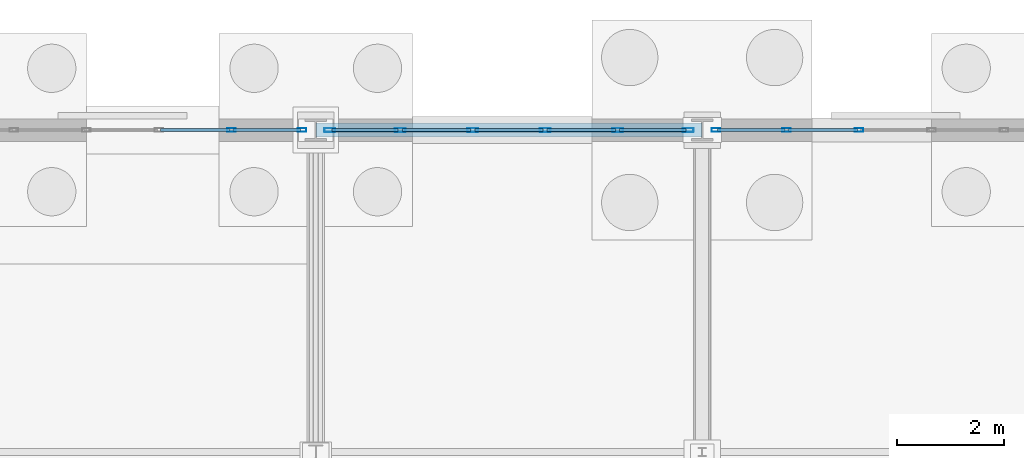
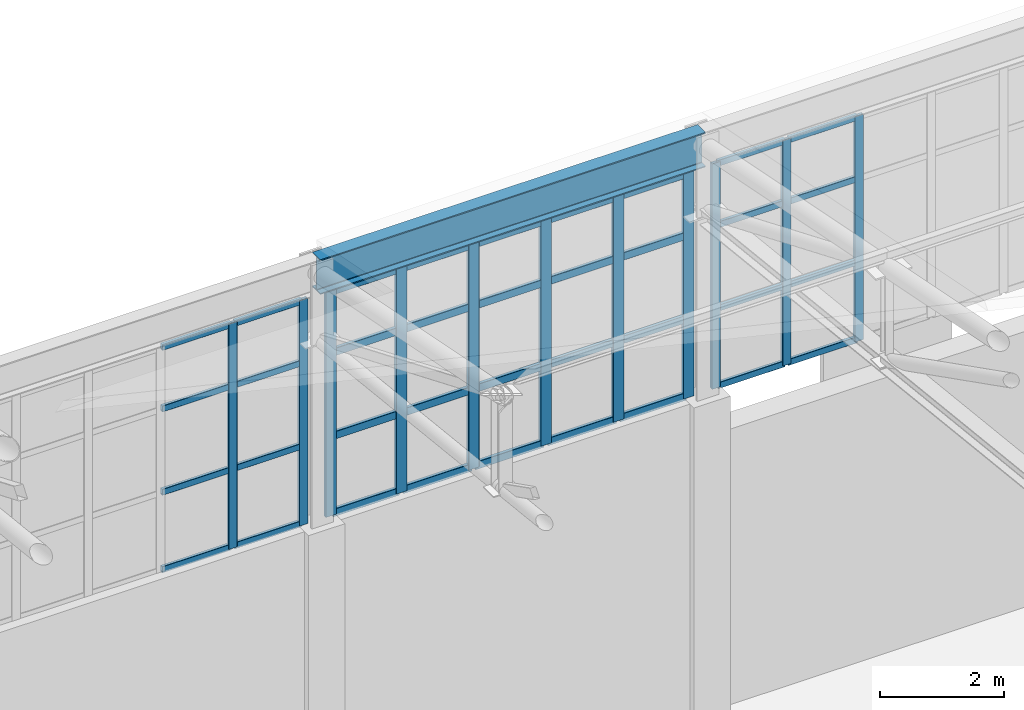
# One storey, part 220 of 293: 47 members, 1 beam, 3 elements without a shape of their own.
"""IFC4 building model written with IfcOpenShell, lengths in metres."""

from ifc_helpers import new_model, si_unit, direction, frame, origin, origin_2d, place, context, subcontext, project, spatial, hollow_rectangle, i_section, extrude, material, layer, layer_set, material_profile, profile_set, type_object, element, aggregate, save


model = new_model("IFC4")

# Units and contexts
model_context = context("Model", 3, precision=1e-05, world=origin(), true_north=direction((0.0, 1.0)))
body_context = subcontext(model_context, "Body", "Model", "MODEL_VIEW")
ifc_project = project(units=[si_unit("LENGTHUNIT", "METRE"), si_unit("AREAUNIT", "SQUARE_METRE"), si_unit("VOLUMEUNIT", "CUBIC_METRE"), si_unit("PLANEANGLEUNIT", "RADIAN"), si_unit("MASSUNIT", "GRAM", prefix="KILO")], contexts=[model_context])

# Site, building, storey
site_placement = place(None, origin())
site = spatial("IfcSite", under=ifc_project, at=site_placement, CompositionType="ELEMENT")
building_placement = place(site_placement, origin())
building = spatial("IfcBuilding", under=site, at=building_placement, Name="Kemerveld Promenade Tramway Depot", CompositionType="ELEMENT")
storey_placement = place(building_placement, origin())
storey = spatial("IfcBuildingStorey", under=building, at=storey_placement, Name="L00", CompositionType="ELEMENT", Elevation=0.0)

# Beam
ifc_material_1 = material(Name="Steel S355", Category="steel")
ifc_material_profile_1 = material_profile(ifc_material_1, i_section(OverallWidth=0.25439453125, OverallDepth=0.6875, WebThickness=0.01318359375, FlangeThickness=0.02099609375, FilletRadius=0.01513671875, at=origin_2d()), Name="686x254x152 UB")
ifc_profile_set_1 = profile_set([ifc_material_profile_1], Name="Steel S355")
beam_type = type_object("IfcBeamType", Name="BM-G03", PredefinedType="BEAM", material=ifc_profile_set_1)
beam_placement = place(storey_placement, frame((129.60009765625, 144.0, 11.056396484375), z_axis=(1.0, 0.0, 0.0), x_axis=(0.0, 1.0, 0.0)))
element("IfcBeam", 1, at=beam_placement, inside=storey, type_object=beam_type, Name="BM-SHED-EAVE-U-19", PredefinedType="BEAM", context=body_context, shape_type="SweptSolid", body=[
    extrude(i_section(OverallWidth=0.25439453125, OverallDepth=0.6875, WebThickness=0.01318359375, FlangeThickness=0.02099609375, FilletRadius=0.01513671875, at=origin_2d()), origin(), (0.0, 0.0, 1.0), 7.199951171875),
])

# Curtain wall, members
ifc_material_2 = material(Name="Bronze anodised aluminium and solar glass", Category="aluminium")
ifc_layer_1 = layer(ifc_material_2, 0.159912109375)
ifc_layer_set_1 = layer_set([ifc_layer_1], Name="CW-SYS-13")
curtain_wall_type_1 = type_object("IfcCurtainWallType", Name="CW-SYS-13", PredefinedType="USERDEFINED", material=ifc_layer_set_1)
curtain_wall_1_placement = place(storey_placement, origin())
curtain_wall_1 = element("IfcCurtainWall", 2, at=curtain_wall_1_placement, inside=storey, type_object=curtain_wall_type_1, Name="CW-V1-N-13", ObjectType="GLAZED_CURTAIN_WALL", PredefinedType="USERDEFINED")
ifc_material_3 = material(Name="Bronze anodised aluminium", Category="aluminium")
ifc_material_profile_2 = material_profile(ifc_material_3, hollow_rectangle(XDim=0.06494140625, YDim=0.159912109375, WallThickness=0.00390625, InnerFilletRadius=0.001953125, OuterFilletRadius=0.00390625, at=origin_2d()), Name="CW-MUL-160x65")
ifc_profile_set_2 = profile_set([ifc_material_profile_2], Name="Bronze anodised aluminium")
member_type_1 = type_object("IfcMemberType", Name="CW-MUL-A", PredefinedType="MULLION", material=ifc_profile_set_2)
member_1_placement = place(storey_placement, frame((128.026123046875, 144.0, 6.199951171875), z_axis=(0.0, 0.0, 1.0), x_axis=(0.0, 1.0, 0.0)))
member_1 = element("IfcMember", 3, at=member_1_placement, type_object=member_type_1, Name="CW13 mullion 5", PredefinedType="MULLION", context=body_context, shape_type="SweptSolid", body=[
    extrude(hollow_rectangle(XDim=0.06494140625, YDim=0.159912109375, WallThickness=0.00390625, InnerFilletRadius=0.001953125, OuterFilletRadius=0.00390625, at=origin_2d()), origin(), (0.0, 0.0, 1.0), 4.449951171875),
])
member_2_placement = place(storey_placement, frame((129.34423828125, 144.0, 6.199951171875), z_axis=(0.0, 0.0, 1.0), x_axis=(0.0, 1.0, 0.0)))
member_2 = element("IfcMember", 4, at=member_2_placement, type_object=member_type_1, Name="CW13 mullion 6", PredefinedType="MULLION", context=body_context, shape_type="SweptSolid", body=[
    extrude(hollow_rectangle(XDim=0.06494140625, YDim=0.159912109375, WallThickness=0.00390625, InnerFilletRadius=0.001953125, OuterFilletRadius=0.00390625, at=origin_2d()), origin(), (0.0, 0.0, 1.0), 4.449951171875),
])

ifc_layer_2 = layer(ifc_material_2, 0.159912109375)
ifc_layer_set_2 = layer_set([ifc_layer_2], Name="CW-SYS-01")
curtain_wall_type_2 = type_object("IfcCurtainWallType", Name="CW-SYS-01", PredefinedType="USERDEFINED", material=ifc_layer_set_2)
curtain_wall_2_placement = place(storey_placement, origin())
curtain_wall_2 = element("IfcCurtainWall", 5, at=curtain_wall_2_placement, inside=storey, type_object=curtain_wall_type_2, Name="CW-V1-N-15", ObjectType="GLAZED_CURTAIN_WALL", PredefinedType="USERDEFINED")
member_3_placement = place(storey_placement, frame((137.0556640625, 144.0, 6.199951171875), z_axis=(0.0, 0.0, 1.0), x_axis=(0.0, 1.0, 0.0)))
member_3 = element("IfcMember", 6, at=member_3_placement, type_object=member_type_1, Name="CW01 mullion 1", PredefinedType="MULLION", context=body_context, shape_type="SweptSolid", body=[
    extrude(hollow_rectangle(XDim=0.06494140625, YDim=0.159912109375, WallThickness=0.00390625, InnerFilletRadius=0.001953125, OuterFilletRadius=0.00390625, at=origin_2d()), origin(), (0.0, 0.0, 1.0), 4.449951171875),
])
member_4_placement = place(storey_placement, frame((138.3740234375, 144.0, 6.199951171875), z_axis=(0.0, 0.0, 1.0), x_axis=(0.0, 1.0, 0.0)))
member_4 = element("IfcMember", 7, at=member_4_placement, type_object=member_type_1, Name="CW01 mullion 2", PredefinedType="MULLION", context=body_context, shape_type="SweptSolid", body=[
    extrude(hollow_rectangle(XDim=0.06494140625, YDim=0.159912109375, WallThickness=0.00390625, InnerFilletRadius=0.001953125, OuterFilletRadius=0.00390625, at=origin_2d()), origin(), (0.0, 0.0, 1.0), 4.449951171875),
])
member_5_placement = place(storey_placement, frame((139.724609375, 144.0, 6.199951171875), z_axis=(0.0, 0.0, 1.0), x_axis=(0.0, 1.0, 0.0)))
member_5 = element("IfcMember", 8, at=member_5_placement, type_object=member_type_1, Name="CW01 mullion 3", PredefinedType="MULLION", context=body_context, shape_type="SweptSolid", body=[
    extrude(hollow_rectangle(XDim=0.06494140625, YDim=0.159912109375, WallThickness=0.00390625, InnerFilletRadius=0.001953125, OuterFilletRadius=0.00390625, at=origin_2d()), origin(), (0.0, 0.0, 1.0), 4.449951171875),
])

ifc_layer_3 = layer(ifc_material_2, 0.199951171875)
ifc_layer_set_3 = layer_set([ifc_layer_3], Name="CW-SYS-14")
curtain_wall_type_3 = type_object("IfcCurtainWallType", Name="CW-SYS-14", PredefinedType="USERDEFINED", material=ifc_layer_set_3)
curtain_wall_3_placement = place(storey_placement, origin())
curtain_wall_3 = element("IfcCurtainWall", 9, at=curtain_wall_3_placement, inside=storey, type_object=curtain_wall_type_3, Name="CW-V1-N-14", ObjectType="GLAZED_CURTAIN_WALL", PredefinedType="USERDEFINED")
ifc_material_profile_3 = material_profile(ifc_material_3, hollow_rectangle(XDim=0.074951171875, YDim=0.199951171875, WallThickness=0.0048828125, InnerFilletRadius=0.001953125, OuterFilletRadius=0.0048828125, at=origin_2d()), Name="CW-MUL-200x75")
ifc_profile_set_3 = profile_set([ifc_material_profile_3], Name="Bronze anodised aluminium")
member_type_2 = type_object("IfcMemberType", Name="CW-MUL-B", PredefinedType="MULLION", material=ifc_profile_set_3)
member_6_placement = place(storey_placement, frame((129.860595703125, 144.0, 6.199951171875), z_axis=(0.0, 0.0, 1.0), x_axis=(0.0, 1.0, 0.0)))
member_6 = element("IfcMember", 10, at=member_6_placement, type_object=member_type_2, Name="CW14 mullion 1", PredefinedType="MULLION", context=body_context, shape_type="SweptSolid", body=[
    extrude(hollow_rectangle(XDim=0.074951171875, YDim=0.199951171875, WallThickness=0.0048828125, InnerFilletRadius=0.001953125, OuterFilletRadius=0.0048828125, at=origin_2d()), origin(), (0.0, 0.0, 1.0), 4.449951171875),
])
member_7_placement = place(storey_placement, frame((131.173828125, 144.0, 6.199951171875), z_axis=(0.0, 0.0, 1.0), x_axis=(0.0, 1.0, 0.0)))
member_7 = element("IfcMember", 11, at=member_7_placement, type_object=member_type_2, Name="CW14 mullion 2", PredefinedType="MULLION", context=body_context, shape_type="SweptSolid", body=[
    extrude(hollow_rectangle(XDim=0.074951171875, YDim=0.199951171875, WallThickness=0.0048828125, InnerFilletRadius=0.001953125, OuterFilletRadius=0.0048828125, at=origin_2d()), origin(), (0.0, 0.0, 1.0), 4.449951171875),
])
member_8_placement = place(storey_placement, frame((132.524658203125, 144.0, 6.199951171875), z_axis=(0.0, 0.0, 1.0), x_axis=(0.0, 1.0, 0.0)))
member_8 = element("IfcMember", 12, at=member_8_placement, type_object=member_type_2, Name="CW14 mullion 3", PredefinedType="MULLION", context=body_context, shape_type="SweptSolid", body=[
    extrude(hollow_rectangle(XDim=0.074951171875, YDim=0.199951171875, WallThickness=0.0048828125, InnerFilletRadius=0.001953125, OuterFilletRadius=0.0048828125, at=origin_2d()), origin(), (0.0, 0.0, 1.0), 4.449951171875),
])
member_9_placement = place(storey_placement, frame((133.875244140625, 144.0, 6.199951171875), z_axis=(0.0, 0.0, 1.0), x_axis=(0.0, 1.0, 0.0)))
member_9 = element("IfcMember", 13, at=member_9_placement, type_object=member_type_2, Name="CW14 mullion 4", PredefinedType="MULLION", context=body_context, shape_type="SweptSolid", body=[
    extrude(hollow_rectangle(XDim=0.074951171875, YDim=0.199951171875, WallThickness=0.0048828125, InnerFilletRadius=0.001953125, OuterFilletRadius=0.0048828125, at=origin_2d()), origin(), (0.0, 0.0, 1.0), 4.449951171875),
])
member_10_placement = place(storey_placement, frame((135.22607421875, 144.0, 6.199951171875), z_axis=(0.0, 0.0, 1.0), x_axis=(0.0, 1.0, 0.0)))
member_10 = element("IfcMember", 14, at=member_10_placement, type_object=member_type_2, Name="CW14 mullion 5", PredefinedType="MULLION", context=body_context, shape_type="SweptSolid", body=[
    extrude(hollow_rectangle(XDim=0.074951171875, YDim=0.199951171875, WallThickness=0.0048828125, InnerFilletRadius=0.001953125, OuterFilletRadius=0.0048828125, at=origin_2d()), origin(), (0.0, 0.0, 1.0), 4.449951171875),
])
member_11_placement = place(storey_placement, frame((136.539306640625, 144.0, 6.199951171875), z_axis=(0.0, 0.0, 1.0), x_axis=(0.0, 1.0, 0.0)))
member_11 = element("IfcMember", 15, at=member_11_placement, type_object=member_type_2, Name="CW14 mullion 6", PredefinedType="MULLION", context=body_context, shape_type="SweptSolid", body=[
    extrude(hollow_rectangle(XDim=0.074951171875, YDim=0.199951171875, WallThickness=0.0048828125, InnerFilletRadius=0.001953125, OuterFilletRadius=0.0048828125, at=origin_2d()), origin(), (0.0, 0.0, 1.0), 4.449951171875),
])

# Member
ifc_material_profile_4 = material_profile(ifc_material_3, hollow_rectangle(XDim=0.06005859375, YDim=0.1201171875, WallThickness=0.00390625, InnerFilletRadius=0.001953125, OuterFilletRadius=0.00390625, at=origin_2d()), Name="CW-TRN-120x60")
ifc_profile_set_4 = profile_set([ifc_material_profile_4], Name="Bronze anodised aluminium")
member_type_3 = type_object("IfcMemberType", Name="CW-TRN-A", PredefinedType="USERDEFINED", material=ifc_profile_set_4)
member_12_placement = place(storey_placement, frame((126.707763671875, 144.0, 6.22998046875), z_axis=(1.0, 0.0, 0.0), x_axis=(0.0, 1.0, 0.0)))
member_12 = element("IfcMember", 16, at=member_12_placement, type_object=member_type_3, Name="CW13 transom 4.1", ObjectType="TRANSOM", PredefinedType="USERDEFINED", context=body_context, shape_type="SweptSolid", body=[
    extrude(hollow_rectangle(XDim=0.06005859375, YDim=0.1201171875, WallThickness=0.00390625, InnerFilletRadius=0.001953125, OuterFilletRadius=0.00390625, at=origin_2d()), origin(), (0.0, 0.0, 1.0), 1.285888671875),
])

member_13_placement = place(storey_placement, frame((126.707763671875, 144.0, 7.758056640625), z_axis=(1.0, 0.0, 0.0), x_axis=(0.0, 1.0, 0.0)))
member_13 = element("IfcMember", 17, at=member_13_placement, type_object=member_type_3, Name="CW13 transom 4.2", ObjectType="TRANSOM", PredefinedType="USERDEFINED", context=body_context, shape_type="SweptSolid", body=[
    extrude(hollow_rectangle(XDim=0.06005859375, YDim=0.1201171875, WallThickness=0.00390625, InnerFilletRadius=0.001953125, OuterFilletRadius=0.00390625, at=origin_2d()), origin(), (0.0, 0.0, 1.0), 1.285888671875),
])

member_14_placement = place(storey_placement, frame((126.707763671875, 144.0, 9.404052734375), z_axis=(1.0, 0.0, 0.0), x_axis=(0.0, 1.0, 0.0)))
member_14 = element("IfcMember", 18, at=member_14_placement, type_object=member_type_3, Name="CW13 transom 4.3", ObjectType="TRANSOM", PredefinedType="USERDEFINED", context=body_context, shape_type="SweptSolid", body=[
    extrude(hollow_rectangle(XDim=0.06005859375, YDim=0.1201171875, WallThickness=0.00390625, InnerFilletRadius=0.001953125, OuterFilletRadius=0.00390625, at=origin_2d()), origin(), (0.0, 0.0, 1.0), 1.285888671875),
])

member_15_placement = place(storey_placement, frame((126.707763671875, 144.0, 10.6201171875), z_axis=(1.0, 0.0, 0.0), x_axis=(0.0, 1.0, 0.0)))
member_15 = element("IfcMember", 19, at=member_15_placement, type_object=member_type_3, Name="CW13 transom 4.4", ObjectType="TRANSOM", PredefinedType="USERDEFINED", context=body_context, shape_type="SweptSolid", body=[
    extrude(hollow_rectangle(XDim=0.06005859375, YDim=0.1201171875, WallThickness=0.00390625, InnerFilletRadius=0.001953125, OuterFilletRadius=0.00390625, at=origin_2d()), origin(), (0.0, 0.0, 1.0), 1.285888671875),
])

member_16_placement = place(storey_placement, frame((128.05859375, 144.0, 6.22998046875), z_axis=(1.0, 0.0, 0.0), x_axis=(0.0, 1.0, 0.0)))
member_16 = element("IfcMember", 20, at=member_16_placement, type_object=member_type_3, Name="CW13 transom 5.1", ObjectType="TRANSOM", PredefinedType="USERDEFINED", context=body_context, shape_type="SweptSolid", body=[
    extrude(hollow_rectangle(XDim=0.06005859375, YDim=0.1201171875, WallThickness=0.00390625, InnerFilletRadius=0.001953125, OuterFilletRadius=0.00390625, at=origin_2d()), origin(), (0.0, 0.0, 1.0), 1.253173828125),
])

member_17_placement = place(storey_placement, frame((128.05859375, 144.0, 7.758056640625), z_axis=(1.0, 0.0, 0.0), x_axis=(0.0, 1.0, 0.0)))
member_17 = element("IfcMember", 21, at=member_17_placement, type_object=member_type_3, Name="CW13 transom 5.2", ObjectType="TRANSOM", PredefinedType="USERDEFINED", context=body_context, shape_type="SweptSolid", body=[
    extrude(hollow_rectangle(XDim=0.06005859375, YDim=0.1201171875, WallThickness=0.00390625, InnerFilletRadius=0.001953125, OuterFilletRadius=0.00390625, at=origin_2d()), origin(), (0.0, 0.0, 1.0), 1.253173828125),
])

member_18_placement = place(storey_placement, frame((128.05859375, 144.0, 9.404052734375), z_axis=(1.0, 0.0, 0.0), x_axis=(0.0, 1.0, 0.0)))
member_18 = element("IfcMember", 22, at=member_18_placement, type_object=member_type_3, Name="CW13 transom 5.3", ObjectType="TRANSOM", PredefinedType="USERDEFINED", context=body_context, shape_type="SweptSolid", body=[
    extrude(hollow_rectangle(XDim=0.06005859375, YDim=0.1201171875, WallThickness=0.00390625, InnerFilletRadius=0.001953125, OuterFilletRadius=0.00390625, at=origin_2d()), origin(), (0.0, 0.0, 1.0), 1.253173828125),
])

member_19_placement = place(storey_placement, frame((128.05859375, 144.0, 10.6201171875), z_axis=(1.0, 0.0, 0.0), x_axis=(0.0, 1.0, 0.0)))
member_19 = element("IfcMember", 23, at=member_19_placement, type_object=member_type_3, Name="CW13 transom 5.4", ObjectType="TRANSOM", PredefinedType="USERDEFINED", context=body_context, shape_type="SweptSolid", body=[
    extrude(hollow_rectangle(XDim=0.06005859375, YDim=0.1201171875, WallThickness=0.00390625, InnerFilletRadius=0.001953125, OuterFilletRadius=0.00390625, at=origin_2d()), origin(), (0.0, 0.0, 1.0), 1.253173828125),
])

aggregate(curtain_wall_1, [member_1, member_2, member_12, member_13, member_14, member_15, member_16, member_17, member_18, member_19])

member_20_placement = place(storey_placement, frame((137.088134765625, 144.0, 6.22998046875), z_axis=(1.0, 0.0, 0.0), x_axis=(0.0, 1.0, 0.0)))
member_20 = element("IfcMember", 24, at=member_20_placement, type_object=member_type_3, Name="CW01 transom 1.1", ObjectType="TRANSOM", PredefinedType="USERDEFINED", context=body_context, shape_type="SweptSolid", body=[
    extrude(hollow_rectangle(XDim=0.06005859375, YDim=0.1201171875, WallThickness=0.00390625, InnerFilletRadius=0.001953125, OuterFilletRadius=0.00390625, at=origin_2d()), origin(), (0.0, 0.0, 1.0), 1.253173828125),
])

member_21_placement = place(storey_placement, frame((137.088134765625, 144.0, 7.758056640625), z_axis=(1.0, 0.0, 0.0), x_axis=(0.0, 1.0, 0.0)))
member_21 = element("IfcMember", 25, at=member_21_placement, type_object=member_type_3, Name="CW01 transom 1.2", ObjectType="TRANSOM", PredefinedType="USERDEFINED", context=body_context, shape_type="SweptSolid", body=[
    extrude(hollow_rectangle(XDim=0.06005859375, YDim=0.1201171875, WallThickness=0.00390625, InnerFilletRadius=0.001953125, OuterFilletRadius=0.00390625, at=origin_2d()), origin(), (0.0, 0.0, 1.0), 1.253173828125),
])

member_22_placement = place(storey_placement, frame((137.088134765625, 144.0, 9.404052734375), z_axis=(1.0, 0.0, 0.0), x_axis=(0.0, 1.0, 0.0)))
member_22 = element("IfcMember", 26, at=member_22_placement, type_object=member_type_3, Name="CW01 transom 1.3", ObjectType="TRANSOM", PredefinedType="USERDEFINED", context=body_context, shape_type="SweptSolid", body=[
    extrude(hollow_rectangle(XDim=0.06005859375, YDim=0.1201171875, WallThickness=0.00390625, InnerFilletRadius=0.001953125, OuterFilletRadius=0.00390625, at=origin_2d()), origin(), (0.0, 0.0, 1.0), 1.253173828125),
])

member_23_placement = place(storey_placement, frame((137.088134765625, 144.0, 10.6201171875), z_axis=(1.0, 0.0, 0.0), x_axis=(0.0, 1.0, 0.0)))
member_23 = element("IfcMember", 27, at=member_23_placement, type_object=member_type_3, Name="CW01 transom 1.4", ObjectType="TRANSOM", PredefinedType="USERDEFINED", context=body_context, shape_type="SweptSolid", body=[
    extrude(hollow_rectangle(XDim=0.06005859375, YDim=0.1201171875, WallThickness=0.00390625, InnerFilletRadius=0.001953125, OuterFilletRadius=0.00390625, at=origin_2d()), origin(), (0.0, 0.0, 1.0), 1.253173828125),
])

member_24_placement = place(storey_placement, frame((138.406494140625, 144.0, 6.22998046875), z_axis=(1.0, 0.0, 0.0), x_axis=(0.0, 1.0, 0.0)))
member_24 = element("IfcMember", 28, at=member_24_placement, type_object=member_type_3, Name="CW01 transom 2.1", ObjectType="TRANSOM", PredefinedType="USERDEFINED", context=body_context, shape_type="SweptSolid", body=[
    extrude(hollow_rectangle(XDim=0.06005859375, YDim=0.1201171875, WallThickness=0.00390625, InnerFilletRadius=0.001953125, OuterFilletRadius=0.00390625, at=origin_2d()), origin(), (0.0, 0.0, 1.0), 1.28564453125),
])

member_25_placement = place(storey_placement, frame((138.406494140625, 144.0, 7.758056640625), z_axis=(1.0, 0.0, 0.0), x_axis=(0.0, 1.0, 0.0)))
member_25 = element("IfcMember", 29, at=member_25_placement, type_object=member_type_3, Name="CW01 transom 2.2", ObjectType="TRANSOM", PredefinedType="USERDEFINED", context=body_context, shape_type="SweptSolid", body=[
    extrude(hollow_rectangle(XDim=0.06005859375, YDim=0.1201171875, WallThickness=0.00390625, InnerFilletRadius=0.001953125, OuterFilletRadius=0.00390625, at=origin_2d()), origin(), (0.0, 0.0, 1.0), 1.28564453125),
])

member_26_placement = place(storey_placement, frame((138.406494140625, 144.0, 9.404052734375), z_axis=(1.0, 0.0, 0.0), x_axis=(0.0, 1.0, 0.0)))
member_26 = element("IfcMember", 30, at=member_26_placement, type_object=member_type_3, Name="CW01 transom 2.3", ObjectType="TRANSOM", PredefinedType="USERDEFINED", context=body_context, shape_type="SweptSolid", body=[
    extrude(hollow_rectangle(XDim=0.06005859375, YDim=0.1201171875, WallThickness=0.00390625, InnerFilletRadius=0.001953125, OuterFilletRadius=0.00390625, at=origin_2d()), origin(), (0.0, 0.0, 1.0), 1.28564453125),
])

member_27_placement = place(storey_placement, frame((138.406494140625, 144.0, 10.6201171875), z_axis=(1.0, 0.0, 0.0), x_axis=(0.0, 1.0, 0.0)))
member_27 = element("IfcMember", 31, at=member_27_placement, type_object=member_type_3, Name="CW01 transom 2.4", ObjectType="TRANSOM", PredefinedType="USERDEFINED", context=body_context, shape_type="SweptSolid", body=[
    extrude(hollow_rectangle(XDim=0.06005859375, YDim=0.1201171875, WallThickness=0.00390625, InnerFilletRadius=0.001953125, OuterFilletRadius=0.00390625, at=origin_2d()), origin(), (0.0, 0.0, 1.0), 1.28564453125),
])

aggregate(curtain_wall_2, [member_3, member_4, member_5, member_20, member_21, member_22, member_23, member_24, member_25, member_26, member_27])

ifc_material_profile_5 = material_profile(ifc_material_3, hollow_rectangle(XDim=0.06494140625, YDim=0.14990234375, WallThickness=0.00439453125, InnerFilletRadius=0.001953125, OuterFilletRadius=0.00439453125, at=origin_2d()), Name="CW-TRN-150x65")
ifc_profile_set_5 = profile_set([ifc_material_profile_5], Name="Bronze anodised aluminium")
member_type_4 = type_object("IfcMemberType", Name="CW-TRN-B", PredefinedType="USERDEFINED", material=ifc_profile_set_5)
member_28_placement = place(storey_placement, frame((129.898193359375, 144.0, 6.232421875), z_axis=(1.0, 0.0, 0.0), x_axis=(0.0, 1.0, 0.0)))
member_28 = element("IfcMember", 32, at=member_28_placement, type_object=member_type_4, Name="CW14 transom 1.1", ObjectType="TRANSOM", PredefinedType="USERDEFINED", context=body_context, shape_type="SweptSolid", body=[
    extrude(hollow_rectangle(XDim=0.06494140625, YDim=0.14990234375, WallThickness=0.00439453125, InnerFilletRadius=0.001953125, OuterFilletRadius=0.00439453125, at=origin_2d()), origin(), (0.0, 0.0, 1.0), 1.23828125),
])

member_29_placement = place(storey_placement, frame((129.898193359375, 144.0, 7.758056640625), z_axis=(1.0, 0.0, 0.0), x_axis=(0.0, 1.0, 0.0)))
member_29 = element("IfcMember", 33, at=member_29_placement, type_object=member_type_4, Name="CW14 transom 1.2", ObjectType="TRANSOM", PredefinedType="USERDEFINED", context=body_context, shape_type="SweptSolid", body=[
    extrude(hollow_rectangle(XDim=0.06494140625, YDim=0.14990234375, WallThickness=0.00439453125, InnerFilletRadius=0.001953125, OuterFilletRadius=0.00439453125, at=origin_2d()), origin(), (0.0, 0.0, 1.0), 1.23828125),
])

member_30_placement = place(storey_placement, frame((129.898193359375, 144.0, 9.404052734375), z_axis=(1.0, 0.0, 0.0), x_axis=(0.0, 1.0, 0.0)))
member_30 = element("IfcMember", 34, at=member_30_placement, type_object=member_type_4, Name="CW14 transom 1.3", ObjectType="TRANSOM", PredefinedType="USERDEFINED", context=body_context, shape_type="SweptSolid", body=[
    extrude(hollow_rectangle(XDim=0.06494140625, YDim=0.14990234375, WallThickness=0.00439453125, InnerFilletRadius=0.001953125, OuterFilletRadius=0.00439453125, at=origin_2d()), origin(), (0.0, 0.0, 1.0), 1.23828125),
])

member_31_placement = place(storey_placement, frame((129.898193359375, 144.0, 10.617431640625), z_axis=(1.0, 0.0, 0.0), x_axis=(0.0, 1.0, 0.0)))
member_31 = element("IfcMember", 35, at=member_31_placement, type_object=member_type_4, Name="CW14 transom 1.4", ObjectType="TRANSOM", PredefinedType="USERDEFINED", context=body_context, shape_type="SweptSolid", body=[
    extrude(hollow_rectangle(XDim=0.06494140625, YDim=0.14990234375, WallThickness=0.00439453125, InnerFilletRadius=0.001953125, OuterFilletRadius=0.00439453125, at=origin_2d()), origin(), (0.0, 0.0, 1.0), 1.23828125),
])

member_32_placement = place(storey_placement, frame((131.21142578125, 144.0, 6.232421875), z_axis=(1.0, 0.0, 0.0), x_axis=(0.0, 1.0, 0.0)))
member_32 = element("IfcMember", 36, at=member_32_placement, type_object=member_type_4, Name="CW14 transom 2.1", ObjectType="TRANSOM", PredefinedType="USERDEFINED", context=body_context, shape_type="SweptSolid", body=[
    extrude(hollow_rectangle(XDim=0.06494140625, YDim=0.14990234375, WallThickness=0.00439453125, InnerFilletRadius=0.001953125, OuterFilletRadius=0.00439453125, at=origin_2d()), origin(), (0.0, 0.0, 1.0), 1.275634765625),
])

member_33_placement = place(storey_placement, frame((131.21142578125, 144.0, 7.758056640625), z_axis=(1.0, 0.0, 0.0), x_axis=(0.0, 1.0, 0.0)))
member_33 = element("IfcMember", 37, at=member_33_placement, type_object=member_type_4, Name="CW14 transom 2.2", ObjectType="TRANSOM", PredefinedType="USERDEFINED", context=body_context, shape_type="SweptSolid", body=[
    extrude(hollow_rectangle(XDim=0.06494140625, YDim=0.14990234375, WallThickness=0.00439453125, InnerFilletRadius=0.001953125, OuterFilletRadius=0.00439453125, at=origin_2d()), origin(), (0.0, 0.0, 1.0), 1.275634765625),
])

member_34_placement = place(storey_placement, frame((131.21142578125, 144.0, 9.404052734375), z_axis=(1.0, 0.0, 0.0), x_axis=(0.0, 1.0, 0.0)))
member_34 = element("IfcMember", 38, at=member_34_placement, type_object=member_type_4, Name="CW14 transom 2.3", ObjectType="TRANSOM", PredefinedType="USERDEFINED", context=body_context, shape_type="SweptSolid", body=[
    extrude(hollow_rectangle(XDim=0.06494140625, YDim=0.14990234375, WallThickness=0.00439453125, InnerFilletRadius=0.001953125, OuterFilletRadius=0.00439453125, at=origin_2d()), origin(), (0.0, 0.0, 1.0), 1.275634765625),
])

member_35_placement = place(storey_placement, frame((131.21142578125, 144.0, 10.617431640625), z_axis=(1.0, 0.0, 0.0), x_axis=(0.0, 1.0, 0.0)))
member_35 = element("IfcMember", 39, at=member_35_placement, type_object=member_type_4, Name="CW14 transom 2.4", ObjectType="TRANSOM", PredefinedType="USERDEFINED", context=body_context, shape_type="SweptSolid", body=[
    extrude(hollow_rectangle(XDim=0.06494140625, YDim=0.14990234375, WallThickness=0.00439453125, InnerFilletRadius=0.001953125, OuterFilletRadius=0.00439453125, at=origin_2d()), origin(), (0.0, 0.0, 1.0), 1.275634765625),
])

member_36_placement = place(storey_placement, frame((132.562255859375, 144.0, 6.232421875), z_axis=(1.0, 0.0, 0.0), x_axis=(0.0, 1.0, 0.0)))
member_36 = element("IfcMember", 40, at=member_36_placement, type_object=member_type_4, Name="CW14 transom 3.1", ObjectType="TRANSOM", PredefinedType="USERDEFINED", context=body_context, shape_type="SweptSolid", body=[
    extrude(hollow_rectangle(XDim=0.06494140625, YDim=0.14990234375, WallThickness=0.00439453125, InnerFilletRadius=0.001953125, OuterFilletRadius=0.00439453125, at=origin_2d()), origin(), (0.0, 0.0, 1.0), 1.275634765625),
])

member_37_placement = place(storey_placement, frame((132.562255859375, 144.0, 7.758056640625), z_axis=(1.0, 0.0, 0.0), x_axis=(0.0, 1.0, 0.0)))
member_37 = element("IfcMember", 41, at=member_37_placement, type_object=member_type_4, Name="CW14 transom 3.2", ObjectType="TRANSOM", PredefinedType="USERDEFINED", context=body_context, shape_type="SweptSolid", body=[
    extrude(hollow_rectangle(XDim=0.06494140625, YDim=0.14990234375, WallThickness=0.00439453125, InnerFilletRadius=0.001953125, OuterFilletRadius=0.00439453125, at=origin_2d()), origin(), (0.0, 0.0, 1.0), 1.275634765625),
])

member_38_placement = place(storey_placement, frame((132.562255859375, 144.0, 9.404052734375), z_axis=(1.0, 0.0, 0.0), x_axis=(0.0, 1.0, 0.0)))
member_38 = element("IfcMember", 42, at=member_38_placement, type_object=member_type_4, Name="CW14 transom 3.3", ObjectType="TRANSOM", PredefinedType="USERDEFINED", context=body_context, shape_type="SweptSolid", body=[
    extrude(hollow_rectangle(XDim=0.06494140625, YDim=0.14990234375, WallThickness=0.00439453125, InnerFilletRadius=0.001953125, OuterFilletRadius=0.00439453125, at=origin_2d()), origin(), (0.0, 0.0, 1.0), 1.275634765625),
])

member_39_placement = place(storey_placement, frame((132.562255859375, 144.0, 10.617431640625), z_axis=(1.0, 0.0, 0.0), x_axis=(0.0, 1.0, 0.0)))
member_39 = element("IfcMember", 43, at=member_39_placement, type_object=member_type_4, Name="CW14 transom 3.4", ObjectType="TRANSOM", PredefinedType="USERDEFINED", context=body_context, shape_type="SweptSolid", body=[
    extrude(hollow_rectangle(XDim=0.06494140625, YDim=0.14990234375, WallThickness=0.00439453125, InnerFilletRadius=0.001953125, OuterFilletRadius=0.00439453125, at=origin_2d()), origin(), (0.0, 0.0, 1.0), 1.275634765625),
])

member_40_placement = place(storey_placement, frame((133.912841796875, 144.0, 6.232421875), z_axis=(1.0, 0.0, 0.0), x_axis=(0.0, 1.0, 0.0)))
member_40 = element("IfcMember", 44, at=member_40_placement, type_object=member_type_4, Name="CW14 transom 4.1", ObjectType="TRANSOM", PredefinedType="USERDEFINED", context=body_context, shape_type="SweptSolid", body=[
    extrude(hollow_rectangle(XDim=0.06494140625, YDim=0.14990234375, WallThickness=0.00439453125, InnerFilletRadius=0.001953125, OuterFilletRadius=0.00439453125, at=origin_2d()), origin(), (0.0, 0.0, 1.0), 1.275634765625),
])

member_41_placement = place(storey_placement, frame((133.912841796875, 144.0, 7.758056640625), z_axis=(1.0, 0.0, 0.0), x_axis=(0.0, 1.0, 0.0)))
member_41 = element("IfcMember", 45, at=member_41_placement, type_object=member_type_4, Name="CW14 transom 4.2", ObjectType="TRANSOM", PredefinedType="USERDEFINED", context=body_context, shape_type="SweptSolid", body=[
    extrude(hollow_rectangle(XDim=0.06494140625, YDim=0.14990234375, WallThickness=0.00439453125, InnerFilletRadius=0.001953125, OuterFilletRadius=0.00439453125, at=origin_2d()), origin(), (0.0, 0.0, 1.0), 1.275634765625),
])

member_42_placement = place(storey_placement, frame((133.912841796875, 144.0, 9.404052734375), z_axis=(1.0, 0.0, 0.0), x_axis=(0.0, 1.0, 0.0)))
member_42 = element("IfcMember", 46, at=member_42_placement, type_object=member_type_4, Name="CW14 transom 4.3", ObjectType="TRANSOM", PredefinedType="USERDEFINED", context=body_context, shape_type="SweptSolid", body=[
    extrude(hollow_rectangle(XDim=0.06494140625, YDim=0.14990234375, WallThickness=0.00439453125, InnerFilletRadius=0.001953125, OuterFilletRadius=0.00439453125, at=origin_2d()), origin(), (0.0, 0.0, 1.0), 1.275634765625),
])

member_43_placement = place(storey_placement, frame((133.912841796875, 144.0, 10.617431640625), z_axis=(1.0, 0.0, 0.0), x_axis=(0.0, 1.0, 0.0)))
member_43 = element("IfcMember", 47, at=member_43_placement, type_object=member_type_4, Name="CW14 transom 4.4", ObjectType="TRANSOM", PredefinedType="USERDEFINED", context=body_context, shape_type="SweptSolid", body=[
    extrude(hollow_rectangle(XDim=0.06494140625, YDim=0.14990234375, WallThickness=0.00439453125, InnerFilletRadius=0.001953125, OuterFilletRadius=0.00439453125, at=origin_2d()), origin(), (0.0, 0.0, 1.0), 1.275634765625),
])

member_44_placement = place(storey_placement, frame((135.263671875, 144.0, 6.232421875), z_axis=(1.0, 0.0, 0.0), x_axis=(0.0, 1.0, 0.0)))
member_44 = element("IfcMember", 48, at=member_44_placement, type_object=member_type_4, Name="CW14 transom 5.1", ObjectType="TRANSOM", PredefinedType="USERDEFINED", context=body_context, shape_type="SweptSolid", body=[
    extrude(hollow_rectangle(XDim=0.06494140625, YDim=0.14990234375, WallThickness=0.00439453125, InnerFilletRadius=0.001953125, OuterFilletRadius=0.00439453125, at=origin_2d()), origin(), (0.0, 0.0, 1.0), 1.238037109375),
])

member_45_placement = place(storey_placement, frame((135.263671875, 144.0, 7.758056640625), z_axis=(1.0, 0.0, 0.0), x_axis=(0.0, 1.0, 0.0)))
member_45 = element("IfcMember", 49, at=member_45_placement, type_object=member_type_4, Name="CW14 transom 5.2", ObjectType="TRANSOM", PredefinedType="USERDEFINED", context=body_context, shape_type="SweptSolid", body=[
    extrude(hollow_rectangle(XDim=0.06494140625, YDim=0.14990234375, WallThickness=0.00439453125, InnerFilletRadius=0.001953125, OuterFilletRadius=0.00439453125, at=origin_2d()), origin(), (0.0, 0.0, 1.0), 1.238037109375),
])

member_46_placement = place(storey_placement, frame((135.263671875, 144.0, 9.404052734375), z_axis=(1.0, 0.0, 0.0), x_axis=(0.0, 1.0, 0.0)))
member_46 = element("IfcMember", 50, at=member_46_placement, type_object=member_type_4, Name="CW14 transom 5.3", ObjectType="TRANSOM", PredefinedType="USERDEFINED", context=body_context, shape_type="SweptSolid", body=[
    extrude(hollow_rectangle(XDim=0.06494140625, YDim=0.14990234375, WallThickness=0.00439453125, InnerFilletRadius=0.001953125, OuterFilletRadius=0.00439453125, at=origin_2d()), origin(), (0.0, 0.0, 1.0), 1.238037109375),
])

member_47_placement = place(storey_placement, frame((135.263671875, 144.0, 10.617431640625), z_axis=(1.0, 0.0, 0.0), x_axis=(0.0, 1.0, 0.0)))
member_47 = element("IfcMember", 51, at=member_47_placement, type_object=member_type_4, Name="CW14 transom 5.4", ObjectType="TRANSOM", PredefinedType="USERDEFINED", context=body_context, shape_type="SweptSolid", body=[
    extrude(hollow_rectangle(XDim=0.06494140625, YDim=0.14990234375, WallThickness=0.00439453125, InnerFilletRadius=0.001953125, OuterFilletRadius=0.00439453125, at=origin_2d()), origin(), (0.0, 0.0, 1.0), 1.238037109375),
])

aggregate(curtain_wall_3, [member_6, member_7, member_8, member_9, member_10, member_11, member_28, member_29, member_30, member_31, member_32, member_33, member_34, member_35, member_36, member_37, member_38, member_39, member_40, member_41, member_42, member_43, member_44, member_45, member_46, member_47])

save(model, "model.ifc")
